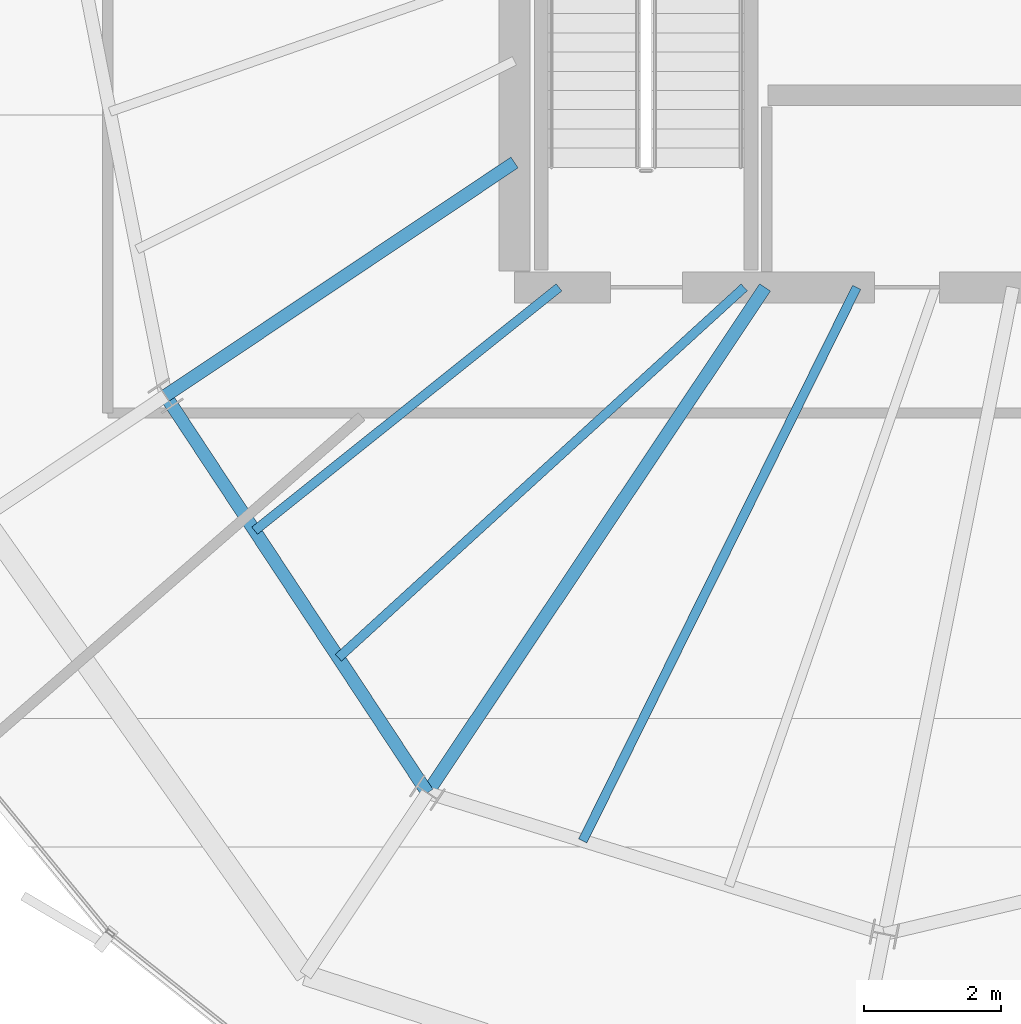
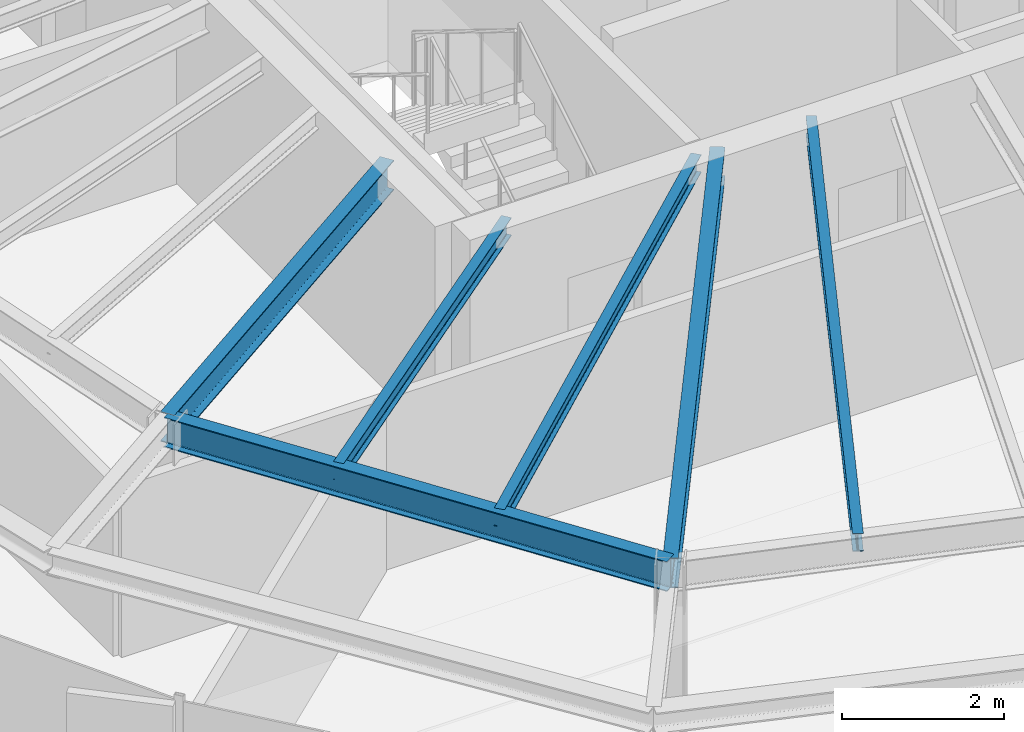
# One storey, part 5 of 33: 6 beams.
"""IFC4 building model written with IfcOpenShell, lengths in metres."""

from ifc_helpers import new_model, si_unit, direction, frame, origin, origin_2d, place, context, subcontext, project, spatial, i_section, extrude, source, transform, mapped, material, material_profile, profile_set, type_object, element, save


model = new_model("IFC4")

# Units and contexts
model_context = context("Model", 3, precision=1e-05, world=origin(), true_north=direction((0.0, 1.0)))
body_context = subcontext(model_context, "Body", "Model", "MODEL_VIEW")
ifc_project = project(units=[si_unit("LENGTHUNIT", "METRE"), si_unit("AREAUNIT", "SQUARE_METRE"), si_unit("VOLUMEUNIT", "CUBIC_METRE"), si_unit("PLANEANGLEUNIT", "RADIAN"), si_unit("MASSUNIT", "GRAM", prefix="KILO"), si_unit("THERMODYNAMICTEMPERATUREUNIT", "KELVIN")], contexts=[model_context])

# Site, building, storey
site_placement = place(None, origin())
site = spatial("IfcSite", under=ifc_project, at=site_placement, CompositionType="ELEMENT")
building_placement = place(site_placement, origin())
building = spatial("IfcBuilding", under=site, at=building_placement, Name="Kethvar Cultural Tower", CompositionType="ELEMENT")
storey_placement = place(building_placement, frame((0.0, 0.0, 266.35009765625)))
storey = spatial("IfcBuildingStorey", under=building, at=storey_placement, Name="L70", CompositionType="ELEMENT", Elevation=266.35009765625)

# Beams
ifc_material = material(Name="Steel S355J2", Category="steel")
ifc_material_profile_1 = material_profile(ifc_material, i_section(OverallWidth=0.18994140625, OverallDepth=0.449951171875, WebThickness=0.009521484375, FlangeThickness=0.0146484375, FilletRadius=0.02099609375, at=origin_2d()), Name="Steel S355J2 — IPE450")
ifc_profile_set_1 = profile_set([ifc_material_profile_1], Name="Steel S355J2 — IPE450")
beam_type_1 = type_object("IfcBeamType", Name="BM-IPE450", PredefinedType="BEAM", material=ifc_profile_set_1)
shared_shape_1 = source(origin(), body_context, "Body", "SweptSolid", [
    extrude(i_section(OverallWidth=0.18994140625, OverallDepth=0.449951171875, WebThickness=0.009521484375, FlangeThickness=0.0146484375, FilletRadius=0.02099609375, at=origin_2d()), origin(), (0.0, 0.0, 1.0), 6.118408203125),
])
beam_1_placement = place(storey_placement, frame((38.0, 21.920166015625, 2.98291015625), z_axis=(-0.831466631282, -0.555574694406, 0.0), x_axis=(0.555574694406, -0.831466631282, 0.0)))
element("IfcBeam", 1, at=beam_1_placement, inside=storey, type_object=beam_type_1, Name="L70 Primary Radial Beam RB-10", PredefinedType="BEAM", context=body_context, shape_type="MappedRepresentation", body=[
    mapped(shared_shape_1, transform((0.0, 0.0, 0.0), scale=1.0)),
])
shared_shape_2 = source(origin(), body_context, "Body", "SweptSolid", [
    extrude(i_section(OverallWidth=0.18994140625, OverallDepth=0.449951171875, WebThickness=0.009521484375, FlangeThickness=0.0146484375, FilletRadius=0.02099609375, at=origin_2d()), origin(), (0.0, 0.0, 1.0), 8.86279296875),
])
beam_2_placement = place(storey_placement, frame((41.655029296875, 20.10009765625, 2.98291015625), z_axis=(-0.555564443415, -0.831473480764, 0.0), x_axis=(0.831473480764, -0.555564443415, 0.0)))
element("IfcBeam", 2, at=beam_2_placement, inside=storey, type_object=beam_type_1, Name="L70 Primary Radial Beam RB-11", PredefinedType="BEAM", context=body_context, shape_type="MappedRepresentation", body=[
    mapped(shared_shape_2, transform((0.0, 0.0, 0.0), scale=1.0)),
])
shared_shape_3 = source(origin(), body_context, "Body", "SweptSolid", [
    extrude(i_section(OverallWidth=0.18994140625, OverallDepth=0.449951171875, WebThickness=0.009521484375, FlangeThickness=0.0146484375, FilletRadius=0.02099609375, at=origin_2d()), origin(), (0.0, 0.0, 1.0), 6.935791015625),
])
beam_3_placement = place(storey_placement, frame((32.912841796875, 18.52099609375, 2.98291015625), z_axis=(0.550534204139, -0.834812607759, 0.0), x_axis=(0.834812607759, 0.550534204139, 0.0)))
element("IfcBeam", 3, at=beam_3_placement, inside=storey, type_object=beam_type_1, Name="L70 Column Ring Tie Beam CR-10", PredefinedType="BEAM", context=body_context, shape_type="MappedRepresentation", body=[
    mapped(shared_shape_3, transform((0.0, 0.0, 0.0), scale=1.0)),
])
ifc_material_profile_2 = material_profile(ifc_material, i_section(OverallWidth=0.135009765625, OverallDepth=0.27001953125, WebThickness=0.006591796875, FlangeThickness=0.01025390625, FilletRadius=0.014892578125, at=origin_2d()), Name="Steel S355J2 — IPE270")
ifc_profile_set_2 = profile_set([ifc_material_profile_2], Name="Steel S355J2 — IPE270")
beam_type_2 = type_object("IfcBeamType", Name="BM-J270", PredefinedType="JOIST", material=ifc_profile_set_2)
shared_shape_4 = source(origin(), body_context, "Body", "SweptSolid", [
    extrude(i_section(OverallWidth=0.135009765625, OverallDepth=0.27001953125, WebThickness=0.006591796875, FlangeThickness=0.01025390625, FilletRadius=0.014892578125, at=origin_2d()), origin(), (0.0, 0.0, 1.0), 5.68212890625),
])
beam_4_placement = place(storey_placement, frame((38.64990234375, 20.10009765625, 3.072998046875), z_axis=(-0.781157957733, -0.624333440615, 0.0), x_axis=(0.624333440615, -0.781157957733, 0.0)))
element("IfcBeam", 4, at=beam_4_placement, inside=storey, type_object=beam_type_2, Name="L70 Composite Floor Joist J-10A", PredefinedType="JOIST", context=body_context, shape_type="MappedRepresentation", body=[
    mapped(shared_shape_4, transform((0.0, 0.0, 0.0), scale=1.0)),
])
shared_shape_5 = source(origin(), body_context, "Body", "SweptSolid", [
    extrude(i_section(OverallWidth=0.135009765625, OverallDepth=0.27001953125, WebThickness=0.006591796875, FlangeThickness=0.01025390625, FilletRadius=0.014892578125, at=origin_2d()), origin(), (0.0, 0.0, 1.0), 8.010986328125),
])
beam_5_placement = place(storey_placement, frame((41.35009765625, 20.10009765625, 3.072998046875), z_axis=(-0.738614798856, -0.674127717061, 0.0), x_axis=(0.674127717061, -0.738614798856, 0.0)))
element("IfcBeam", 5, at=beam_5_placement, inside=storey, type_object=beam_type_2, Name="L70 Composite Floor Joist J-10B", PredefinedType="JOIST", context=body_context, shape_type="MappedRepresentation", body=[
    mapped(shared_shape_5, transform((0.0, 0.0, 0.0), scale=1.0)),
])
shared_shape_6 = source(origin(), body_context, "Body", "SweptSolid", [
    extrude(i_section(OverallWidth=0.135009765625, OverallDepth=0.27001953125, WebThickness=0.006591796875, FlangeThickness=0.01025390625, FilletRadius=0.014892578125, at=origin_2d()), origin(), (0.0, 0.0, 1.0), 9.00341796875),
])
beam_6_placement = place(storey_placement, frame((42.989501953125, 20.10009765625, 3.072998046875), z_axis=(-0.443543695319, -0.896252749141, 0.0), x_axis=(0.896252749141, -0.443543695319, 0.0)))
element("IfcBeam", 6, at=beam_6_placement, inside=storey, type_object=beam_type_2, Name="L70 Composite Floor Joist J-11A", PredefinedType="JOIST", context=body_context, shape_type="MappedRepresentation", body=[
    mapped(shared_shape_6, transform((0.0, 0.0, 0.0), scale=1.0)),
])

save(model, "model.ifc")
